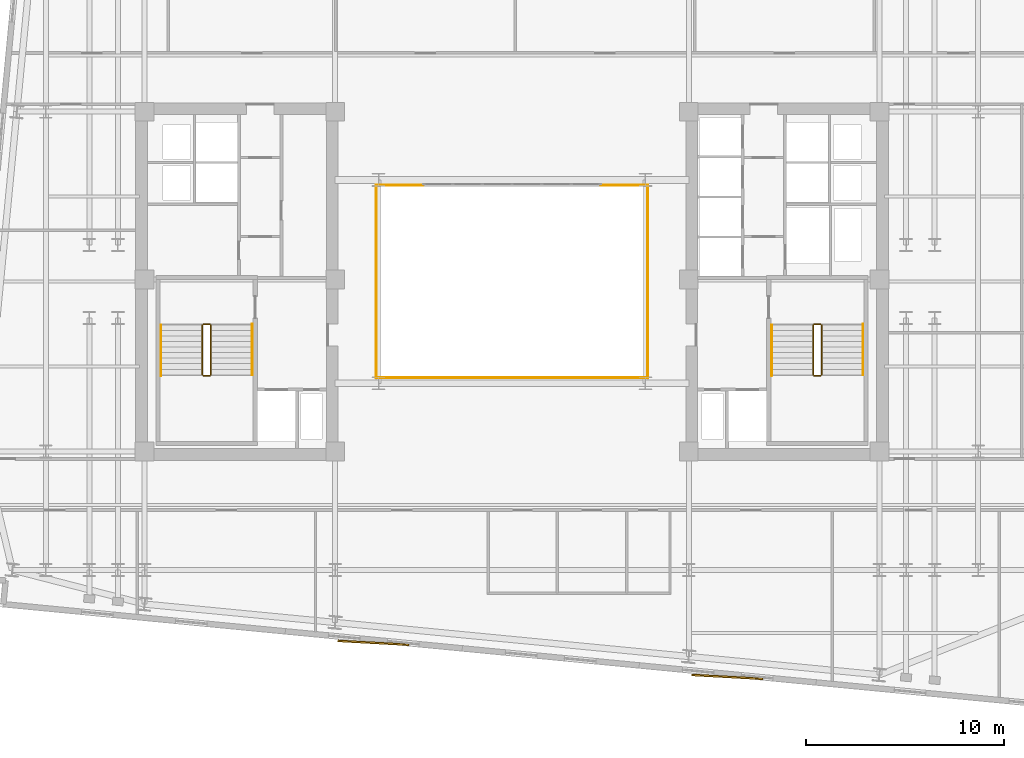
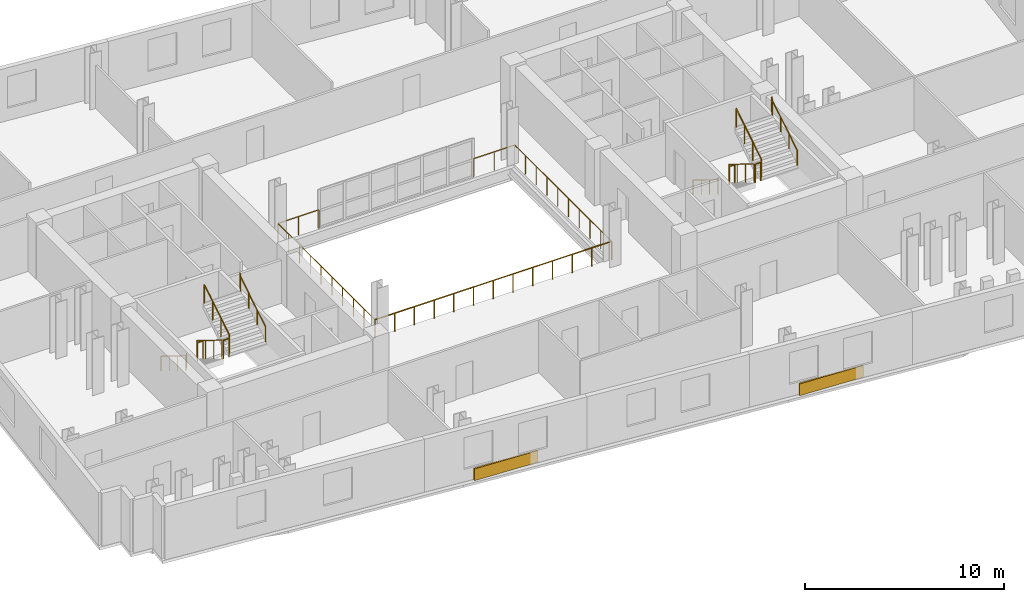
# One storey, part 9 of 10: 17 railings, 2 coverings.
"""IFC4 building model written with IfcOpenShell, lengths in metres."""

from ifc_helpers import new_model, si_unit, direction, frame, origin, origin_2d, place, context, subcontext, project, spatial, rectangle, circle, extrude, material, layer, layer_set, type_object, element, save


model = new_model("IFC4")

# Units and contexts
model_context = context("Model", 3, precision=1e-05, world=origin(), true_north=direction((0.0, 1.0)))
body_context = subcontext(model_context, "Body", "Model", "MODEL_VIEW")
ifc_project = project(units=[si_unit("LENGTHUNIT", "METRE"), si_unit("AREAUNIT", "SQUARE_METRE"), si_unit("VOLUMEUNIT", "CUBIC_METRE"), si_unit("PLANEANGLEUNIT", "RADIAN"), si_unit("MASSUNIT", "GRAM", prefix="KILO")], contexts=[model_context])

# Site, building, storey
site_placement = place(None, origin())
site = spatial("IfcSite", under=ifc_project, at=site_placement, CompositionType="ELEMENT")
building_placement = place(site_placement, origin())
building = spatial("IfcBuilding", under=site, at=building_placement, Name="Velakula Bourse", CompositionType="ELEMENT")
storey_placement = place(building_placement, frame((0.0, 0.0, 188.0)))
storey = spatial("IfcBuildingStorey", under=building, at=storey_placement, Name="L51", CompositionType="ELEMENT", Elevation=188.0)

# Coverings
ifc_material_1 = material(Name="Buff kilned clay facing brick masonry", Category="masonry")
ifc_layer = layer(ifc_material_1, 0.074951171875, Name="Buff kilned clay facing brick masonry", Category="masonry")
ifc_layer_set = layer_set([ifc_layer], Name="Buff kilned clay facing brick masonry")
covering_type = type_object("IfcCoveringType", Name="COV-BRK-SPN-75", PredefinedType="CLADDING", material=ifc_layer_set)
for number, where, z_axis, x_axis, name in (
    (1, (-7.01220703125, -18.288330078125, 0.0), (0.0, 0.0, 1.0), (0.998489097451, -0.054950179912, 0.0), "L51 Folded Brick Facade Cladding Panel S-B2"),
    (2, (10.905029296875, -20.013671875, 0.0), (0.0, 0.0, 1.0), (0.998489097451, -0.054950179912, 0.0), "L51 Folded Brick Facade Cladding Panel S-B4"),
):
    element("IfcCovering", number, at=place(storey_placement, frame(where, z_axis=z_axis, x_axis=x_axis)), inside=storey, type_object=covering_type, Name=name, PredefinedType="CLADDING", context=body_context, shape_type="SweptSolid", body=[
        extrude(rectangle(XDim=3.60009765625, YDim=0.090087890625, at=origin_2d()), origin(), (0.0, 0.0, 1.0), 0.719970703125),
    ])

# Railings
ifc_material_2 = material(Name="Brushed grade 316 stainless steel", Category="steel")
railing_type_1 = type_object("IfcRailingType", Name="RLG-ATRIUM-1150", PredefinedType="BALUSTRADE", material=ifc_material_2)
railing_1_placement = place(storey_placement, frame((-6.8798828125, -4.8798828125, 0.0)))
element("IfcRailing", 3, at=railing_1_placement, inside=storey, type_object=railing_type_1, Name="L51 Central Trading Atrium Balustrade S", PredefinedType="BALUSTRADE", context=body_context, shape_type="SweptSolid", body=[
    extrude(circle(Radius=0.02392578125, at=origin_2d()), frame((0.0, 0.0, 1.1259765625), z_axis=(1.0, 0.0, 0.0), x_axis=(0.0, 1.0, 0.0)), (0.0, 0.0, 1.0), 13.759765625),
    extrude(circle(Radius=0.02099609375, at=origin_2d()), origin(), (0.0, 0.0, 1.0), 1.101806640625),
    extrude(circle(Radius=0.02099609375, at=origin_2d()), frame((1.146728515625, 0.0, 0.0)), (0.0, 0.0, 1.0), 1.101806640625),
    extrude(circle(Radius=0.02099609375, at=origin_2d()), frame((2.293212890625, 0.0, 0.0)), (0.0, 0.0, 1.0), 1.101806640625),
    extrude(circle(Radius=0.02099609375, at=origin_2d()), frame((3.43994140625, 0.0, 0.0)), (0.0, 0.0, 1.0), 1.101806640625),
    extrude(circle(Radius=0.02099609375, at=origin_2d()), frame((4.586669921875, 0.0, 0.0)), (0.0, 0.0, 1.0), 1.101806640625),
    extrude(circle(Radius=0.02099609375, at=origin_2d()), frame((5.733154296875, 0.0, 0.0)), (0.0, 0.0, 1.0), 1.101806640625),
    extrude(circle(Radius=0.02099609375, at=origin_2d()), frame((6.8798828125, 0.0, 0.0)), (0.0, 0.0, 1.0), 1.101806640625),
    extrude(circle(Radius=0.02099609375, at=origin_2d()), frame((8.026611328125, 0.0, 0.0)), (0.0, 0.0, 1.0), 1.101806640625),
    extrude(circle(Radius=0.02099609375, at=origin_2d()), frame((9.173095703125, 0.0, 0.0)), (0.0, 0.0, 1.0), 1.101806640625),
    extrude(circle(Radius=0.02099609375, at=origin_2d()), frame((10.31982421875, 0.0, 0.0)), (0.0, 0.0, 1.0), 1.101806640625),
    extrude(circle(Radius=0.02099609375, at=origin_2d()), frame((11.466552734375, 0.0, 0.0)), (0.0, 0.0, 1.0), 1.101806640625),
    extrude(circle(Radius=0.02099609375, at=origin_2d()), frame((12.613037109375, 0.0, 0.0)), (0.0, 0.0, 1.0), 1.101806640625),
    extrude(circle(Radius=0.02099609375, at=origin_2d()), frame((13.759765625, 0.0, 0.0)), (0.0, 0.0, 1.0), 1.101806640625),
])
railing_2_placement = place(storey_placement, frame((-6.8798828125, 4.8798828125, 0.0)))
element("IfcRailing", 4, at=railing_2_placement, inside=storey, type_object=railing_type_1, Name="L51 Central Trading Atrium Balustrade W", PredefinedType="BALUSTRADE", context=body_context, shape_type="SweptSolid", body=[
    extrude(circle(Radius=0.02392578125, at=origin_2d()), frame((0.0, 0.0, 1.1259765625), z_axis=(0.0, -1.0, 0.0), x_axis=(1.0, 0.0, 0.0)), (0.0, 0.0, 1.0), 9.759765625),
    extrude(circle(Radius=0.02099609375, at=origin_2d()), origin(), (0.0, 0.0, 1.0), 1.101806640625),
    extrude(circle(Radius=0.02099609375, at=origin_2d()), frame((0.0, -1.08447265625, 0.0)), (0.0, 0.0, 1.0), 1.101806640625),
    extrude(circle(Radius=0.02099609375, at=origin_2d()), frame((0.0, -2.1689453125, 0.0)), (0.0, 0.0, 1.0), 1.101806640625),
    extrude(circle(Radius=0.02099609375, at=origin_2d()), frame((0.0, -3.253173828125, 0.0)), (0.0, 0.0, 1.0), 1.101806640625),
    extrude(circle(Radius=0.02099609375, at=origin_2d()), frame((0.0, -4.337646484375, 0.0)), (0.0, 0.0, 1.0), 1.101806640625),
    extrude(circle(Radius=0.02099609375, at=origin_2d()), frame((0.0, -5.422119140625, 0.0)), (0.0, 0.0, 1.0), 1.101806640625),
    extrude(circle(Radius=0.02099609375, at=origin_2d()), frame((0.0, -6.506591796875, 0.0)), (0.0, 0.0, 1.0), 1.101806640625),
    extrude(circle(Radius=0.02099609375, at=origin_2d()), frame((0.0, -7.5908203125, 0.0)), (0.0, 0.0, 1.0), 1.101806640625),
    extrude(circle(Radius=0.02099609375, at=origin_2d()), frame((0.0, -8.67529296875, 0.0)), (0.0, 0.0, 1.0), 1.101806640625),
    extrude(circle(Radius=0.02099609375, at=origin_2d()), frame((0.0, -9.759765625, 0.0)), (0.0, 0.0, 1.0), 1.101806640625),
])
railing_3_placement = place(storey_placement, frame((6.8798828125, -4.8798828125, 0.0)))
element("IfcRailing", 5, at=railing_3_placement, inside=storey, type_object=railing_type_1, Name="L51 Central Trading Atrium Balustrade E", PredefinedType="BALUSTRADE", context=body_context, shape_type="SweptSolid", body=[
    extrude(circle(Radius=0.02392578125, at=origin_2d()), frame((0.0, 0.0, 1.1259765625), z_axis=(0.0, 1.0, 0.0), x_axis=(-1.0, 0.0, 0.0)), (0.0, 0.0, 1.0), 9.759765625),
    extrude(circle(Radius=0.02099609375, at=origin_2d()), origin(), (0.0, 0.0, 1.0), 1.101806640625),
    extrude(circle(Radius=0.02099609375, at=origin_2d()), frame((0.0, 1.08447265625, 0.0)), (0.0, 0.0, 1.0), 1.101806640625),
    extrude(circle(Radius=0.02099609375, at=origin_2d()), frame((0.0, 2.1689453125, 0.0)), (0.0, 0.0, 1.0), 1.101806640625),
    extrude(circle(Radius=0.02099609375, at=origin_2d()), frame((0.0, 3.253173828125, 0.0)), (0.0, 0.0, 1.0), 1.101806640625),
    extrude(circle(Radius=0.02099609375, at=origin_2d()), frame((0.0, 4.337646484375, 0.0)), (0.0, 0.0, 1.0), 1.101806640625),
    extrude(circle(Radius=0.02099609375, at=origin_2d()), frame((0.0, 5.422119140625, 0.0)), (0.0, 0.0, 1.0), 1.101806640625),
    extrude(circle(Radius=0.02099609375, at=origin_2d()), frame((0.0, 6.506591796875, 0.0)), (0.0, 0.0, 1.0), 1.101806640625),
    extrude(circle(Radius=0.02099609375, at=origin_2d()), frame((0.0, 7.5908203125, 0.0)), (0.0, 0.0, 1.0), 1.101806640625),
    extrude(circle(Radius=0.02099609375, at=origin_2d()), frame((0.0, 8.67529296875, 0.0)), (0.0, 0.0, 1.0), 1.101806640625),
    extrude(circle(Radius=0.02099609375, at=origin_2d()), frame((0.0, 9.759765625, 0.0)), (0.0, 0.0, 1.0), 1.101806640625),
])
for number, where, name in (
    (6, (-4.5, 4.8798828125, 0.0), "L51 Central Trading Atrium Balustrade NW"),
    (7, (6.8798828125, 4.8798828125, 0.0), "L51 Central Trading Atrium Balustrade NE"),
):
    element("IfcRailing", number, at=place(storey_placement, frame(where)), inside=storey, type_object=railing_type_1, Name=name, PredefinedType="BALUSTRADE", context=body_context, shape_type="SweptSolid", body=[
        extrude(circle(Radius=0.02392578125, at=origin_2d()), frame((0.0, 0.0, 1.1259765625), z_axis=(-1.0, 0.0, 0.0), x_axis=(0.0, -1.0, 0.0)), (0.0, 0.0, 1.0), 2.3798828125),
        extrude(circle(Radius=0.02099609375, at=origin_2d()), origin(), (0.0, 0.0, 1.0), 1.101806640625),
        extrude(circle(Radius=0.02099609375, at=origin_2d()), frame((-1.18994140625, 0.0, 0.0)), (0.0, 0.0, 1.0), 1.101806640625),
        extrude(circle(Radius=0.02099609375, at=origin_2d()), frame((-2.3798828125, 0.0, 0.0)), (0.0, 0.0, 1.0), 1.101806640625),
    ])
railing_type_2 = type_object("IfcRailingType", Name="RLG-STAIR-GUARD-1150", PredefinedType="BALUSTRADE", material=ifc_material_2)
railing_4_placement = place(storey_placement, frame((-15.672119140625, -2.199951171875, 0.172607421875)))
element("IfcRailing", 8, at=railing_4_placement, inside=storey, type_object=railing_type_2, Name="L51 ST-W1 stair guard 1", PredefinedType="BALUSTRADE", context=body_context, shape_type="SweptSolid", body=[
    extrude(circle(Radius=0.02490234375, at=origin_2d()), frame((0.0, 0.0, 1.125), z_axis=(0.0, -0.851400495292, 0.524516154772), x_axis=(1.0, 0.0, 0.0)), (0.0, 0.0, 1.0), 2.9599609375),
    extrude(circle(Radius=0.02099609375, at=origin_2d()), origin(), (0.0, 0.0, 1.0), 1.099853515625),
    extrude(circle(Radius=0.02099609375, at=origin_2d()), frame((0.0, -0.840087890625, 0.517578125)), (0.0, 0.0, 1.0), 1.099853515625),
    extrude(circle(Radius=0.02099609375, at=origin_2d()), frame((0.0, -1.679931640625, 1.034912109375)), (0.0, 0.0, 1.0), 1.099853515625),
    extrude(circle(Radius=0.02099609375, at=origin_2d()), frame((0.0, -2.52001953125, 1.552490234375)), (0.0, 0.0, 1.0), 1.099853515625),
])
railing_5_placement = place(storey_placement, frame((-15.6220703125, -4.77001953125, 1.72509765625)))
element("IfcRailing", 9, at=railing_5_placement, inside=storey, type_object=railing_type_2, Name="L51 ST-W1 stair guard 2", PredefinedType="BALUSTRADE", context=body_context, shape_type="SweptSolid", body=[
    extrude(circle(Radius=0.02490234375, at=origin_2d()), frame((0.0, 0.0, 1.125), z_axis=(1.0, 0.0, 0.0), x_axis=(0.0, 1.0, 0.0)), (0.0, 0.0, 1.0), 0.323974609375),
    extrude(circle(Radius=0.02099609375, at=origin_2d()), origin(), (0.0, 0.0, 1.0), 1.099853515625),
    extrude(circle(Radius=0.02099609375, at=origin_2d()), frame((0.323974609375, 0.0, 0.0)), (0.0, 0.0, 1.0), 1.099853515625),
])
railing_6_placement = place(storey_placement, frame((-15.248046875, -4.719970703125, 1.8974609375)))
element("IfcRailing", 10, at=railing_6_placement, inside=storey, type_object=railing_type_2, Name="L51 ST-W1 stair guard 3", PredefinedType="BALUSTRADE", context=body_context, shape_type="SweptSolid", body=[
    extrude(circle(Radius=0.02490234375, at=origin_2d()), frame((0.0, 0.0, 1.125), z_axis=(0.0, 0.851400495292, 0.524516154772), x_axis=(-1.0, 0.0, 0.0)), (0.0, 0.0, 1.0), 2.9599609375),
    extrude(circle(Radius=0.02099609375, at=origin_2d()), origin(), (0.0, 0.0, 1.0), 1.099853515625),
    extrude(circle(Radius=0.02099609375, at=origin_2d()), frame((0.0, 0.840087890625, 0.517578125)), (0.0, 0.0, 1.0), 1.099853515625),
    extrude(circle(Radius=0.02099609375, at=origin_2d()), frame((0.0, 1.679931640625, 1.034912109375)), (0.0, 0.0, 1.0), 1.099853515625),
    extrude(circle(Radius=0.02099609375, at=origin_2d()), frame((0.0, 2.52001953125, 1.552490234375)), (0.0, 0.0, 1.0), 1.099853515625),
])
railing_7_placement = place(storey_placement, frame((-15.6220703125, -2.14990234375, 0.0)))
element("IfcRailing", 11, at=railing_7_placement, inside=storey, type_object=railing_type_2, Name="L51 ST-W1 stair guard 4", PredefinedType="BALUSTRADE", context=body_context, shape_type="SweptSolid", body=[
    extrude(circle(Radius=0.02490234375, at=origin_2d()), frame((0.0, 0.0, 1.125), z_axis=(1.0, 0.0, 0.0), x_axis=(0.0, 1.0, 0.0)), (0.0, 0.0, 1.0), 0.323974609375),
    extrude(circle(Radius=0.02099609375, at=origin_2d()), origin(), (0.0, 0.0, 1.0), 1.099853515625),
    extrude(circle(Radius=0.02099609375, at=origin_2d()), frame((0.323974609375, 0.0, 0.0)), (0.0, 0.0, 1.0), 1.099853515625),
])
railing_8_placement = place(storey_placement, frame((15.248046875, -2.199951171875, 0.172607421875)))
element("IfcRailing", 12, at=railing_8_placement, inside=storey, type_object=railing_type_2, Name="L51 ST-E1 stair guard 1", PredefinedType="BALUSTRADE", context=body_context, shape_type="SweptSolid", body=[
    extrude(circle(Radius=0.02490234375, at=origin_2d()), frame((0.0, 0.0, 1.125), z_axis=(0.0, -0.851400495292, 0.524516154772), x_axis=(1.0, 0.0, 0.0)), (0.0, 0.0, 1.0), 2.9599609375),
    extrude(circle(Radius=0.02099609375, at=origin_2d()), origin(), (0.0, 0.0, 1.0), 1.099853515625),
    extrude(circle(Radius=0.02099609375, at=origin_2d()), frame((0.0, -0.840087890625, 0.517578125)), (0.0, 0.0, 1.0), 1.099853515625),
    extrude(circle(Radius=0.02099609375, at=origin_2d()), frame((0.0, -1.679931640625, 1.034912109375)), (0.0, 0.0, 1.0), 1.099853515625),
    extrude(circle(Radius=0.02099609375, at=origin_2d()), frame((0.0, -2.52001953125, 1.552490234375)), (0.0, 0.0, 1.0), 1.099853515625),
])
railing_9_placement = place(storey_placement, frame((15.298095703125, -4.77001953125, 1.72509765625)))
element("IfcRailing", 13, at=railing_9_placement, inside=storey, type_object=railing_type_2, Name="L51 ST-E1 stair guard 2", PredefinedType="BALUSTRADE", context=body_context, shape_type="SweptSolid", body=[
    extrude(circle(Radius=0.02490234375, at=origin_2d()), frame((0.0, 0.0, 1.125), z_axis=(1.0, 0.0, 0.0), x_axis=(0.0, 1.0, 0.0)), (0.0, 0.0, 1.0), 0.323974609375),
    extrude(circle(Radius=0.02099609375, at=origin_2d()), origin(), (0.0, 0.0, 1.0), 1.099853515625),
    extrude(circle(Radius=0.02099609375, at=origin_2d()), frame((0.323974609375, 0.0, 0.0)), (0.0, 0.0, 1.0), 1.099853515625),
])
railing_10_placement = place(storey_placement, frame((15.672119140625, -4.719970703125, 1.8974609375)))
element("IfcRailing", 14, at=railing_10_placement, inside=storey, type_object=railing_type_2, Name="L51 ST-E1 stair guard 3", PredefinedType="BALUSTRADE", context=body_context, shape_type="SweptSolid", body=[
    extrude(circle(Radius=0.02490234375, at=origin_2d()), frame((0.0, 0.0, 1.125), z_axis=(0.0, 0.851400495292, 0.524516154772), x_axis=(-1.0, 0.0, 0.0)), (0.0, 0.0, 1.0), 2.9599609375),
    extrude(circle(Radius=0.02099609375, at=origin_2d()), origin(), (0.0, 0.0, 1.0), 1.099853515625),
    extrude(circle(Radius=0.02099609375, at=origin_2d()), frame((0.0, 0.840087890625, 0.517578125)), (0.0, 0.0, 1.0), 1.099853515625),
    extrude(circle(Radius=0.02099609375, at=origin_2d()), frame((0.0, 1.679931640625, 1.034912109375)), (0.0, 0.0, 1.0), 1.099853515625),
    extrude(circle(Radius=0.02099609375, at=origin_2d()), frame((0.0, 2.52001953125, 1.552490234375)), (0.0, 0.0, 1.0), 1.099853515625),
])
railing_11_placement = place(storey_placement, frame((15.298095703125, -2.14990234375, 0.0)))
element("IfcRailing", 15, at=railing_11_placement, inside=storey, type_object=railing_type_2, Name="L51 ST-E1 stair guard 4", PredefinedType="BALUSTRADE", context=body_context, shape_type="SweptSolid", body=[
    extrude(circle(Radius=0.02490234375, at=origin_2d()), frame((0.0, 0.0, 1.125), z_axis=(1.0, 0.0, 0.0), x_axis=(0.0, 1.0, 0.0)), (0.0, 0.0, 1.0), 0.323974609375),
    extrude(circle(Radius=0.02099609375, at=origin_2d()), origin(), (0.0, 0.0, 1.0), 1.099853515625),
    extrude(circle(Radius=0.02099609375, at=origin_2d()), frame((0.323974609375, 0.0, 0.0)), (0.0, 0.0, 1.0), 1.099853515625),
])
railing_type_3 = type_object("IfcRailingType", Name="RLG-STAIR-HAND-920", PredefinedType="HANDRAIL", material=ifc_material_2)
railing_12_placement = place(storey_placement, frame((-17.77001953125, -2.199951171875, 0.172607421875)))
element("IfcRailing", 16, at=railing_12_placement, inside=storey, type_object=railing_type_3, Name="L51 ST-W1 stair handrail 1", PredefinedType="HANDRAIL", context=body_context, shape_type="SweptSolid", body=[
    extrude(circle(Radius=0.02099609375, at=origin_2d()), frame((0.0, 0.0, 0.89892578125), z_axis=(0.0, -0.851400495292, 0.524516154772), x_axis=(1.0, 0.0, 0.0)), (0.0, 0.0, 1.0), 2.9599609375),
    extrude(circle(Radius=0.02099609375, at=origin_2d()), frame((0.0, -2.52001953125, 2.451416015625), z_axis=(0.0, -0.226269970362, 0.974064628509), x_axis=(1.0, 0.0, 0.0)), (0.0, 0.0, 1.0), 0.177001953125),
    extrude(circle(Radius=0.02099609375, at=origin_2d()), frame((0.0, -2.56005859375, 2.623779296875), z_axis=(0.0, -1.0, 0.0), x_axis=(1.0, 0.0, 0.0)), (0.0, 0.0, 1.0), 0.0048828125),
    extrude(circle(Radius=0.02099609375, at=origin_2d()), origin(), (0.0, 0.0, 1.0), 0.8779296875),
    extrude(circle(Radius=0.02099609375, at=origin_2d()), frame((0.0, -0.840087890625, 0.517578125)), (0.0, 0.0, 1.0), 0.8779296875),
    extrude(circle(Radius=0.02099609375, at=origin_2d()), frame((0.0, -1.679931640625, 1.034912109375)), (0.0, 0.0, 1.0), 0.8779296875),
    extrude(circle(Radius=0.02099609375, at=origin_2d()), frame((0.0, -2.52001953125, 1.552490234375)), (0.0, 0.0, 1.0), 0.8779296875),
    extrude(circle(Radius=0.02099609375, at=origin_2d()), frame((0.0, -2.56005859375, 1.724853515625)), (0.0, 0.0, 1.0), 0.8779296875),
    extrude(circle(Radius=0.02099609375, at=origin_2d()), frame((0.0, -2.56494140625, 1.724853515625)), (0.0, 0.0, 1.0), 0.8779296875),
])
railing_13_placement = place(storey_placement, frame((-13.14990234375, -4.719970703125, 1.8974609375)))
element("IfcRailing", 17, at=railing_13_placement, inside=storey, type_object=railing_type_3, Name="L51 ST-W1 stair handrail 2", PredefinedType="HANDRAIL", context=body_context, shape_type="SweptSolid", body=[
    extrude(circle(Radius=0.02099609375, at=origin_2d()), frame((0.0, 0.0, 0.89892578125), z_axis=(0.0, 0.851400495292, 0.524516154772), x_axis=(-1.0, 0.0, 0.0)), (0.0, 0.0, 1.0), 2.9599609375),
    extrude(circle(Radius=0.02099609375, at=origin_2d()), frame((0.0, 2.52001953125, 2.451416015625), z_axis=(0.0, 0.22596628056, 0.974135124123), x_axis=(-1.0, 0.0, 0.0)), (0.0, 0.0, 1.0), 0.17724609375),
    extrude(circle(Radius=0.02099609375, at=origin_2d()), frame((0.0, 2.56005859375, 2.6240234375), z_axis=(0.0, 1.0, 0.0), x_axis=(-1.0, 0.0, 0.0)), (0.0, 0.0, 1.0), 0.0048828125),
    extrude(circle(Radius=0.02099609375, at=origin_2d()), origin(), (0.0, 0.0, 1.0), 0.8779296875),
    extrude(circle(Radius=0.02099609375, at=origin_2d()), frame((0.0, 0.840087890625, 0.517578125)), (0.0, 0.0, 1.0), 0.8779296875),
    extrude(circle(Radius=0.02099609375, at=origin_2d()), frame((0.0, 1.679931640625, 1.034912109375)), (0.0, 0.0, 1.0), 0.8779296875),
    extrude(circle(Radius=0.02099609375, at=origin_2d()), frame((0.0, 2.52001953125, 1.552490234375)), (0.0, 0.0, 1.0), 0.8779296875),
    extrude(circle(Radius=0.02099609375, at=origin_2d()), frame((0.0, 2.56005859375, 1.72509765625)), (0.0, 0.0, 1.0), 0.8779296875),
    extrude(circle(Radius=0.02099609375, at=origin_2d()), frame((0.0, 2.56494140625, 1.72509765625)), (0.0, 0.0, 1.0), 0.8779296875),
])
railing_14_placement = place(storey_placement, frame((13.14990234375, -2.199951171875, 0.172607421875)))
element("IfcRailing", 18, at=railing_14_placement, inside=storey, type_object=railing_type_3, Name="L51 ST-E1 stair handrail 1", PredefinedType="HANDRAIL", context=body_context, shape_type="SweptSolid", body=[
    extrude(circle(Radius=0.02099609375, at=origin_2d()), frame((0.0, 0.0, 0.89892578125), z_axis=(0.0, -0.851400495292, 0.524516154772), x_axis=(1.0, 0.0, 0.0)), (0.0, 0.0, 1.0), 2.9599609375),
    extrude(circle(Radius=0.02099609375, at=origin_2d()), frame((0.0, -2.52001953125, 2.451416015625), z_axis=(0.0, -0.226269970362, 0.974064628509), x_axis=(1.0, 0.0, 0.0)), (0.0, 0.0, 1.0), 0.177001953125),
    extrude(circle(Radius=0.02099609375, at=origin_2d()), frame((0.0, -2.56005859375, 2.623779296875), z_axis=(0.0, -1.0, 0.0), x_axis=(1.0, 0.0, 0.0)), (0.0, 0.0, 1.0), 0.0048828125),
    extrude(circle(Radius=0.02099609375, at=origin_2d()), origin(), (0.0, 0.0, 1.0), 0.8779296875),
    extrude(circle(Radius=0.02099609375, at=origin_2d()), frame((0.0, -0.840087890625, 0.517578125)), (0.0, 0.0, 1.0), 0.8779296875),
    extrude(circle(Radius=0.02099609375, at=origin_2d()), frame((0.0, -1.679931640625, 1.034912109375)), (0.0, 0.0, 1.0), 0.8779296875),
    extrude(circle(Radius=0.02099609375, at=origin_2d()), frame((0.0, -2.52001953125, 1.552490234375)), (0.0, 0.0, 1.0), 0.8779296875),
    extrude(circle(Radius=0.02099609375, at=origin_2d()), frame((0.0, -2.56005859375, 1.724853515625)), (0.0, 0.0, 1.0), 0.8779296875),
    extrude(circle(Radius=0.02099609375, at=origin_2d()), frame((0.0, -2.56494140625, 1.724853515625)), (0.0, 0.0, 1.0), 0.8779296875),
])
railing_15_placement = place(storey_placement, frame((17.77001953125, -4.719970703125, 1.8974609375)))
element("IfcRailing", 19, at=railing_15_placement, inside=storey, type_object=railing_type_3, Name="L51 ST-E1 stair handrail 2", PredefinedType="HANDRAIL", context=body_context, shape_type="SweptSolid", body=[
    extrude(circle(Radius=0.02099609375, at=origin_2d()), frame((0.0, 0.0, 0.89892578125), z_axis=(0.0, 0.851400495292, 0.524516154772), x_axis=(-1.0, 0.0, 0.0)), (0.0, 0.0, 1.0), 2.9599609375),
    extrude(circle(Radius=0.02099609375, at=origin_2d()), frame((0.0, 2.52001953125, 2.451416015625), z_axis=(0.0, 0.22596628056, 0.974135124123), x_axis=(-1.0, 0.0, 0.0)), (0.0, 0.0, 1.0), 0.17724609375),
    extrude(circle(Radius=0.02099609375, at=origin_2d()), frame((0.0, 2.56005859375, 2.6240234375), z_axis=(0.0, 1.0, 0.0), x_axis=(-1.0, 0.0, 0.0)), (0.0, 0.0, 1.0), 0.0048828125),
    extrude(circle(Radius=0.02099609375, at=origin_2d()), origin(), (0.0, 0.0, 1.0), 0.8779296875),
    extrude(circle(Radius=0.02099609375, at=origin_2d()), frame((0.0, 0.840087890625, 0.517578125)), (0.0, 0.0, 1.0), 0.8779296875),
    extrude(circle(Radius=0.02099609375, at=origin_2d()), frame((0.0, 1.679931640625, 1.034912109375)), (0.0, 0.0, 1.0), 0.8779296875),
    extrude(circle(Radius=0.02099609375, at=origin_2d()), frame((0.0, 2.52001953125, 1.552490234375)), (0.0, 0.0, 1.0), 0.8779296875),
    extrude(circle(Radius=0.02099609375, at=origin_2d()), frame((0.0, 2.56005859375, 1.72509765625)), (0.0, 0.0, 1.0), 0.8779296875),
    extrude(circle(Radius=0.02099609375, at=origin_2d()), frame((0.0, 2.56494140625, 1.72509765625)), (0.0, 0.0, 1.0), 0.8779296875),
])

save(model, "model.ifc")
